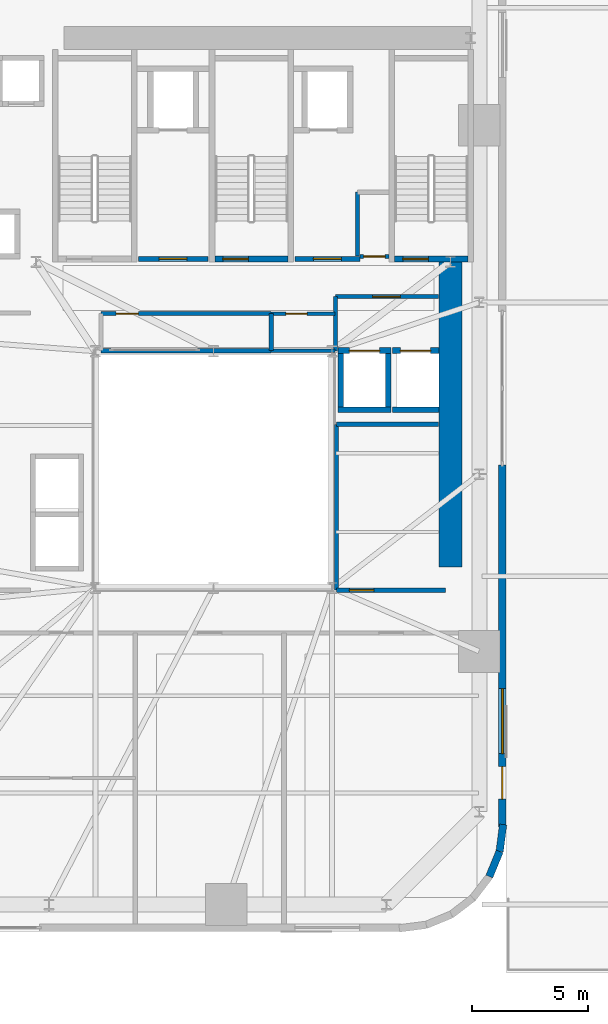
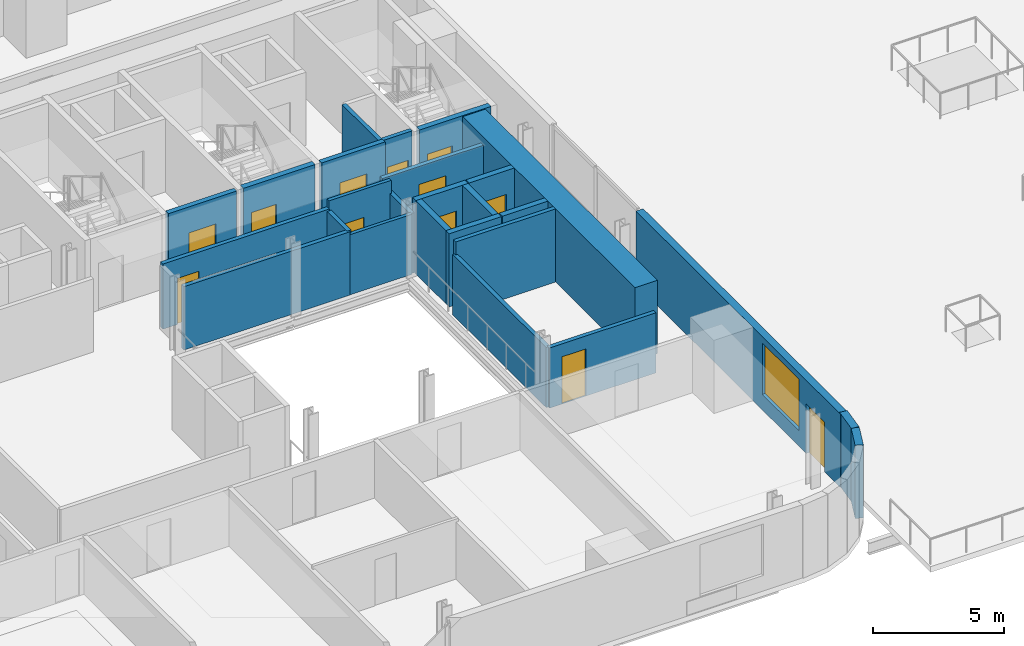
# One storey, part 10 of 18: 26 walls, 12 doors, 1 window, 13 openings.
"""IFC4 building model written with IfcOpenShell, lengths in metres."""

from ifc_helpers import new_model, si_unit, direction, frame, frame_2d, origin, place, context, subcontext, project, spatial, rectangle, extrude, source, transform, mapped, material, layer, layer_set, type_object, element, fill, save


model = new_model("IFC4")

# Units and contexts
model_context = context("Model", 3, precision=1e-05, world=origin(), true_north=direction((0.0, 1.0)))
body_context = subcontext(model_context, "Body", "Model", "MODEL_VIEW")
ifc_project = project(units=[si_unit("LENGTHUNIT", "METRE"), si_unit("AREAUNIT", "SQUARE_METRE"), si_unit("VOLUMEUNIT", "CUBIC_METRE"), si_unit("PLANEANGLEUNIT", "RADIAN"), si_unit("MASSUNIT", "GRAM", prefix="KILO")], contexts=[model_context])

# Site, building, storey
site_placement = place(None, origin())
site = spatial("IfcSite", under=ifc_project, at=site_placement, CompositionType="ELEMENT")
building_placement = place(site_placement, origin())
building = spatial("IfcBuilding", under=site, at=building_placement, Name="Vardaveli Station Tower", CompositionType="ELEMENT")
storey_placement = place(building_placement, frame((0.0, 0.0, 27.60009765625)))
storey = spatial("IfcBuildingStorey", under=building, at=storey_placement, Name="L06", CompositionType="ELEMENT", Elevation=27.60009765625)

# Wall
ifc_material_1 = material(Name="Concrete C60/75", Category="concrete")
ifc_layer_1 = layer(ifc_material_1, 1.0, Name="Concrete C60/75")
ifc_layer_set_1 = layer_set([ifc_layer_1], Name="Concrete C60/75")
wall_type_1 = type_object("IfcWallType", Name="WAL-CORE-1000", PredefinedType="SHEAR", material=ifc_layer_set_1)
shared_shape_1 = source(origin(), body_context, "Body", "SweptSolid", [
    extrude(rectangle(XDim=13.14990234375, YDim=1.0, at=frame_2d((6.574951171875, 0.0))), origin(), (0.0, 0.0, 1.0), 3.409912109375),
])
wall_1_placement = place(storey_placement, frame((46.5, 17.5, 0.0), z_axis=(0.0, 0.0, 1.0), x_axis=(0.0, 1.0, 0.0)))
element("IfcWall", 1, at=wall_1_placement, inside=storey, type_object=wall_type_1, Name="SW-L06-EAST2", PredefinedType="SHEAR", context=body_context, shape_type="MappedRepresentation", body=[
    mapped(shared_shape_1, transform((0.0, 0.0, 0.0), scale=1.0)),
])

# Wall, openings, door, window
ifc_material_2 = material(Name="Precast concrete C45/55", Category="concrete")
ifc_layer_2 = layer(ifc_material_2, 0.320068359375, Name="Precast concrete C45/55")
ifc_layer_set_2 = layer_set([ifc_layer_2], Name="Precast concrete C45/55")
wall_type_2 = type_object("IfcWallType", Name="WAL-EXT-STONE-320", PredefinedType="SOLIDWALL", material=ifc_layer_set_2)
shared_shape_2 = source(origin(), body_context, "Body", "SweptSolid", [
    extrude(rectangle(XDim=15.599853515625, YDim=0.320068359375, at=frame_2d((7.7998046875, 0.0))), origin(), (0.0, 0.0, 1.0), 3.409912109375),
])
wall_2_placement = place(storey_placement, frame((48.739990234375, 6.300048828125, 0.0), z_axis=(0.0, 0.0, 1.0), x_axis=(0.0, 1.0, 0.0)))
wall_2 = element("IfcWall", 2, at=wall_2_placement, inside=storey, type_object=wall_type_2, Name="EW-L06-E1", PredefinedType="SOLIDWALL", context=body_context, shape_type="MappedRepresentation", body=[
    mapped(shared_shape_2, transform((0.0, 0.0, 0.0), scale=1.0)),
])
shared_shape_3 = source(origin(), body_context, "Body", "SweptSolid", [
    extrude(rectangle(XDim=1.39990234375, YDim=2.300048828125, at=frame_2d((0.699951171875, 1.14990234375))), frame((0.0, 0.169921875, 0.0), z_axis=(0.0, -1.0, 0.0), x_axis=(1.0, 0.0, 0.0)), (0.0, 0.0, 1.0), 0.340087890625),
])
opening_1_placement = place(wall_2_placement, frame((1.199951171875, 0.0, 0.0)))
opening_1 = element("IfcOpeningElement", 3, at=opening_1_placement, cuts=wall_2, Name="Opening D-09", PredefinedType="OPENING", context=body_context, shape_type="MappedRepresentation", body=[
    mapped(shared_shape_3, transform((0.0, 0.0, 0.0), scale=1.0)),
])
shared_shape_4 = source(origin(), body_context, "Body", "SweptSolid", [
    extrude(rectangle(XDim=2.800048828125, YDim=2.39990234375, at=frame_2d((1.39990234375, 1.199951171875))), frame((0.0, 0.169921875, 0.0), z_axis=(0.0, -1.0, 0.0), x_axis=(1.0, 0.0, 0.0)), (0.0, 0.0, 1.0), 0.340087890625),
])
opening_2_placement = place(wall_2_placement, frame((3.155029296875, 0.0, 0.719970703125)))
opening_2 = element("IfcOpeningElement", 4, at=opening_2_placement, cuts=wall_2, Name="Opening W-04", PredefinedType="OPENING", context=body_context, shape_type="MappedRepresentation", body=[
    mapped(shared_shape_4, transform((0.0, 0.0, 0.0), scale=1.0)),
])
ifc_material_3 = material(Name="Thermally broken aluminium glass", Category="aluminium")
door_type_1 = type_object("IfcDoorType", Name="DR-LOG-1400x2300", OperationType="DOUBLE_DOOR_SLIDING", PredefinedType="DOOR", material=ifc_material_3)
shared_shape_5 = source(origin(), body_context, "Body", "SweptSolid", [
    extrude(rectangle(XDim=1.39990234375, YDim=2.300048828125, at=frame_2d((0.699951171875, 1.14990234375))), frame((0.0, 0.02490234375, 0.0), z_axis=(0.0, -1.0, 0.0), x_axis=(1.0, 0.0, 0.0)), (0.0, 0.0, 1.0), 0.050048828125),
])
door_1_placement = place(opening_1_placement, frame((1.39990234375, 0.0, 0.0), z_axis=(0.0, 0.0, 1.0), x_axis=(-1.0, 0.0, 0.0)))
door_1 = element("IfcDoor", 5, at=door_1_placement, inside=storey, type_object=door_type_1, Name="DR-L06-PODTER", OperationType="DOUBLE_DOOR_SLIDING", OverallHeight=2.300048828125, OverallWidth=1.39990234375, PredefinedType="DOOR", context=body_context, shape_type="MappedRepresentation", body=[
    mapped(shared_shape_5, transform((0.0, 0.0, 0.0), scale=1.0)),
])
fill(opening_1, door_1)
ifc_material_4 = material(Name="Low-E solar-control glass", Category="glass")
window_type = type_object("IfcWindowType", Name="WIN-SUITE-2800x2400", PartitioningType="SINGLE_PANEL", PredefinedType="WINDOW", material=ifc_material_4)
shared_shape_6 = source(origin(), body_context, "Body", "SweptSolid", [
    extrude(rectangle(XDim=2.800048828125, YDim=2.39990234375, at=frame_2d((1.39990234375, 1.199951171875))), frame((0.0, 0.030029296875, 0.0), z_axis=(0.0, -1.0, 0.0), x_axis=(1.0, 0.0, 0.0)), (0.0, 0.0, 1.0), 0.06005859375),
])
window_placement = place(opening_2_placement, origin())
window = element("IfcWindow", 6, at=window_placement, inside=storey, type_object=window_type, Name="WN-L06-E1", OverallHeight=2.39990234375, OverallWidth=2.800048828125, PartitioningType="SINGLE_PANEL", PredefinedType="WINDOW", context=body_context, shape_type="MappedRepresentation", body=[
    mapped(shared_shape_6, transform((0.0, 0.0, 0.0), scale=1.0)),
])
fill(opening_2, window)

# Walls
shared_shape_7 = source(origin(), body_context, "Body", "SweptSolid", [
    extrude(rectangle(XDim=1.170654296875, YDim=0.320068359375, at=frame_2d((0.58544921875, 0.0))), origin(), (0.0, 0.0, 1.0), 3.409912109375),
])
wall_3_placement = place(storey_placement, frame((48.62548828125, 5.23974609375, 0.0), z_axis=(0.0, 0.0, 1.0), x_axis=(0.128269133229, 0.991739395941, 0.0)))
element("IfcWall", 7, at=wall_3_placement, inside=storey, type_object=wall_type_2, Name="EW-L06-CR2-6", PredefinedType="SOLIDWALL", context=body_context, shape_type="MappedRepresentation", body=[
    mapped(shared_shape_7, transform((0.0, 0.0, 0.0), scale=1.0)),
])
shared_shape_8 = source(origin(), body_context, "Body", "SweptSolid", [
    extrude(rectangle(XDim=1.1689453125, YDim=0.320068359375, at=frame_2d((0.58447265625, 0.0))), origin(), (0.0, 0.0, 1.0), 3.409912109375),
])
wall_4_placement = place(storey_placement, frame((48.179931640625, 4.158935546875, 0.0), z_axis=(0.0, 0.0, 1.0), x_axis=(0.381127904695, 0.924522320046, 0.0)))
element("IfcWall", 8, at=wall_4_placement, inside=storey, type_object=wall_type_2, Name="EW-L06-CR2-5", PredefinedType="SOLIDWALL", context=body_context, shape_type="MappedRepresentation", body=[
    mapped(shared_shape_8, transform((0.0, 0.0, 0.0), scale=1.0)),
])

# Wall, opening, door
ifc_material_5 = material(Name="Concrete C40/50", Category="concrete")
ifc_layer_3 = layer(ifc_material_5, 0.25, Name="Concrete C40/50")
ifc_layer_set_3 = layer_set([ifc_layer_3], Name="Concrete C40/50")
wall_type_3 = type_object("IfcWallType", Name="WAL-SHAFT-250", PredefinedType="SOLIDWALL", material=ifc_layer_set_3)
shared_shape_9 = source(origin(), body_context, "Body", "SweptSolid", [
    extrude(rectangle(XDim=3.14990234375, YDim=0.25, at=frame_2d((1.574951171875, 0.0))), origin(), (0.0, 0.0, 1.0), 3.449951171875),
])
wall_5_placement = place(storey_placement, frame((36.35009765625, 30.77490234375, 0.0), z_axis=(0.0, 0.0, 1.0), x_axis=(1.0, 0.0, 0.0)))
wall_5 = element("IfcWall", 9, at=wall_5_placement, inside=storey, type_object=wall_type_3, Name="W-L06-ST-2S", PredefinedType="SOLIDWALL", context=body_context, shape_type="MappedRepresentation", body=[
    mapped(shared_shape_9, transform((0.0, 0.0, 0.0), scale=1.0)),
])
shared_shape_10 = source(origin(), body_context, "Body", "SweptSolid", [
    extrude(rectangle(XDim=1.10009765625, YDim=2.199951171875, at=frame_2d((0.550048828125, 1.10009765625))), frame((0.0, 0.135009765625, 0.0), z_axis=(0.0, -1.0, 0.0), x_axis=(1.0, 0.0, 0.0)), (0.0, 0.0, 1.0), 0.27001953125),
])
opening_3_placement = place(wall_5_placement, frame((0.35009765625, 0.0, 0.0)))
opening_3 = element("IfcOpeningElement", 10, at=opening_3_placement, cuts=wall_5, Name="Opening D-04", PredefinedType="OPENING", context=body_context, shape_type="MappedRepresentation", body=[
    mapped(shared_shape_10, transform((0.0, 0.0, 0.0), scale=1.0)),
])
ifc_material_6 = material(Name="Steel smokeproof fire doorset", Category="steel")
door_type_2 = type_object("IfcDoorType", Name="DR-ST-1100x2200", OperationType="NOTDEFINED", PredefinedType="DOOR", material=ifc_material_6)
shared_shape_11 = source(origin(), body_context, "Body", "SweptSolid", [
    extrude(rectangle(XDim=1.10009765625, YDim=2.199951171875, at=frame_2d((0.550048828125, 1.10009765625))), frame((0.0, 0.02490234375, 0.0), z_axis=(0.0, -1.0, 0.0), x_axis=(1.0, 0.0, 0.0)), (0.0, 0.0, 1.0), 0.050048828125),
])
door_2_placement = place(opening_3_placement, origin())
door_2 = element("IfcDoor", 11, at=door_2_placement, inside=storey, type_object=door_type_2, Name="DST-2-L06", OperationType="SINGLE_SWING_LEFT", OverallHeight=2.199951171875, OverallWidth=1.10009765625, PredefinedType="DOOR", context=body_context, shape_type="MappedRepresentation", body=[
    mapped(shared_shape_11, transform((0.0, 0.0, 0.0), scale=1.0)),
])
fill(opening_3, door_2)

wall_6_placement = place(storey_placement, frame((44.10009765625, 30.77490234375, 0.0), z_axis=(0.0, 0.0, 1.0), x_axis=(1.0, 0.0, 0.0)))
wall_6 = element("IfcWall", 12, at=wall_6_placement, inside=storey, type_object=wall_type_3, Name="W-L06-ST-3S", PredefinedType="SOLIDWALL", context=body_context, shape_type="MappedRepresentation", body=[
    mapped(shared_shape_9, transform((0.0, 0.0, 0.0), scale=1.0)),
])
opening_4_placement = place(wall_6_placement, frame((0.35009765625, 0.0, 0.0)))
opening_4 = element("IfcOpeningElement", 13, at=opening_4_placement, cuts=wall_6, Name="Opening D-04", PredefinedType="OPENING", context=body_context, shape_type="MappedRepresentation", body=[
    mapped(shared_shape_10, transform((0.0, 0.0, 0.0), scale=1.0)),
])
door_3_placement = place(opening_4_placement, origin())
door_3 = element("IfcDoor", 14, at=door_3_placement, inside=storey, type_object=door_type_2, Name="DST-3-L06", OperationType="SINGLE_SWING_LEFT", OverallHeight=2.199951171875, OverallWidth=1.10009765625, PredefinedType="DOOR", context=body_context, shape_type="MappedRepresentation", body=[
    mapped(shared_shape_11, transform((0.0, 0.0, 0.0), scale=1.0)),
])
fill(opening_4, door_3)

ifc_layer_4 = layer(ifc_material_5, 0.219970703125, Name="Concrete C40/50")
ifc_layer_set_4 = layer_set([ifc_layer_4], Name="Concrete C40/50")
wall_type_4 = type_object("IfcWallType", Name="WAL-FFLOBBY-220", PredefinedType="SOLIDWALL", material=ifc_layer_set_4)
shared_shape_12 = source(origin(), body_context, "Body", "SweptSolid", [
    extrude(rectangle(XDim=3.0, YDim=0.219970703125, at=frame_2d((1.5, 0.0))), origin(), (0.0, 0.0, 1.0), 3.409912109375),
])
wall_7_placement = place(storey_placement, frame((33.050048828125, 30.780029296875, 0.0), z_axis=(0.0, 0.0, 1.0), x_axis=(1.0, 0.0, 0.0)))
wall_7 = element("IfcWall", 15, at=wall_7_placement, inside=storey, type_object=wall_type_4, Name="W-L06-FFL1S", PredefinedType="SOLIDWALL", context=body_context, shape_type="MappedRepresentation", body=[
    mapped(shared_shape_12, transform((0.0, 0.0, 0.0), scale=1.0)),
])
shared_shape_13 = source(origin(), body_context, "Body", "SweptSolid", [
    extrude(rectangle(XDim=1.199951171875, YDim=2.199951171875, at=frame_2d((0.60009765625, 1.10009765625))), frame((0.0, 0.1201171875, 0.0), z_axis=(0.0, -1.0, 0.0), x_axis=(1.0, 0.0, 0.0)), (0.0, 0.0, 1.0), 0.239990234375),
])
opening_5_placement = place(wall_7_placement, frame((0.89990234375, 0.0, 0.0)))
opening_5 = element("IfcOpeningElement", 16, at=opening_5_placement, cuts=wall_7, Name="Opening D-03", PredefinedType="OPENING", context=body_context, shape_type="MappedRepresentation", body=[
    mapped(shared_shape_13, transform((0.0, 0.0, 0.0), scale=1.0)),
])
door_type_3 = type_object("IfcDoorType", Name="DR-FFL-1200x2200", OperationType="NOTDEFINED", PredefinedType="DOOR", material=ifc_material_6)
shared_shape_14 = source(origin(), body_context, "Body", "SweptSolid", [
    extrude(rectangle(XDim=1.199951171875, YDim=2.199951171875, at=frame_2d((0.60009765625, 1.10009765625))), frame((0.0, 0.02490234375, 0.0), z_axis=(0.0, -1.0, 0.0), x_axis=(1.0, 0.0, 0.0)), (0.0, 0.0, 1.0), 0.050048828125),
])
door_4_placement = place(opening_5_placement, origin())
door_4 = element("IfcDoor", 17, at=door_4_placement, inside=storey, type_object=door_type_3, Name="DFFL1-L06", OperationType="SINGLE_SWING_LEFT", OverallHeight=2.199951171875, OverallWidth=1.199951171875, PredefinedType="DOOR", context=body_context, shape_type="MappedRepresentation", body=[
    mapped(shared_shape_14, transform((0.0, 0.0, 0.0), scale=1.0)),
])
fill(opening_5, door_4)

shared_shape_15 = source(origin(), body_context, "Body", "SweptSolid", [
    extrude(rectangle(XDim=2.800048828125, YDim=0.219970703125, at=frame_2d((1.39990234375, 0.0))), origin(), (0.0, 0.0, 1.0), 3.409912109375),
])
wall_8_placement = place(storey_placement, frame((39.800048828125, 30.780029296875, 0.0), z_axis=(0.0, 0.0, 1.0), x_axis=(1.0, 0.0, 0.0)))
wall_8 = element("IfcWall", 18, at=wall_8_placement, inside=storey, type_object=wall_type_4, Name="W-L06-FFL2S", PredefinedType="SOLIDWALL", context=body_context, shape_type="MappedRepresentation", body=[
    mapped(shared_shape_15, transform((0.0, 0.0, 0.0), scale=1.0)),
])
opening_6_placement = place(wall_8_placement, frame((0.800048828125, 0.0, 0.0)))
opening_6 = element("IfcOpeningElement", 19, at=opening_6_placement, cuts=wall_8, Name="Opening D-03", PredefinedType="OPENING", context=body_context, shape_type="MappedRepresentation", body=[
    mapped(shared_shape_13, transform((0.0, 0.0, 0.0), scale=1.0)),
])
door_5_placement = place(opening_6_placement, origin())
door_5 = element("IfcDoor", 20, at=door_5_placement, inside=storey, type_object=door_type_3, Name="DFFL2-L06", OperationType="SINGLE_SWING_RIGHT", OverallHeight=2.199951171875, OverallWidth=1.199951171875, PredefinedType="DOOR", context=body_context, shape_type="MappedRepresentation", body=[
    mapped(shared_shape_14, transform((0.0, 0.0, 0.0), scale=1.0)),
])
fill(opening_6, door_5)

# Wall
shared_shape_16 = source(origin(), body_context, "Body", "SweptSolid", [
    extrude(rectangle(XDim=2.300048828125, YDim=0.25, at=frame_2d((1.14990234375, 0.0))), origin(), (0.0, 0.0, 1.0), 3.409912109375),
])
wall_9_placement = place(storey_placement, frame((41.64990234375, 24.27490234375, 0.0), z_axis=(0.0, 0.0, 1.0), x_axis=(1.0, 0.0, 0.0)))
element("IfcWall", 21, at=wall_9_placement, inside=storey, type_object=wall_type_3, Name="SHW-SRV-01-L06-S", PredefinedType="SOLIDWALL", context=body_context, shape_type="MappedRepresentation", body=[
    mapped(shared_shape_16, transform((0.0, 0.0, 0.0), scale=1.0)),
])

# Wall, opening, door
wall_10_placement = place(storey_placement, frame((41.64990234375, 26.824951171875, 0.0), z_axis=(0.0, 0.0, 1.0), x_axis=(1.0, 0.0, 0.0)))
wall_10 = element("IfcWall", 22, at=wall_10_placement, inside=storey, type_object=wall_type_3, Name="SHW-SRV-01-L06-N", PredefinedType="SOLIDWALL", context=body_context, shape_type="MappedRepresentation", body=[
    mapped(shared_shape_16, transform((0.0, 0.0, 0.0), scale=1.0)),
])
shared_shape_17 = source(origin(), body_context, "Body", "SweptSolid", [
    extrude(rectangle(XDim=1.300048828125, YDim=2.300048828125, at=frame_2d((0.64990234375, 1.14990234375))), frame((0.0, 0.135009765625, 0.0), z_axis=(0.0, -1.0, 0.0), x_axis=(1.0, 0.0, 0.0)), (0.0, 0.0, 1.0), 0.27001953125),
])
opening_7_placement = place(wall_10_placement, frame((0.5, 0.0, 0.0)))
opening_7 = element("IfcOpeningElement", 23, at=opening_7_placement, cuts=wall_10, Name="Opening LD-03", PredefinedType="OPENING", context=body_context, shape_type="MappedRepresentation", body=[
    mapped(shared_shape_17, transform((0.0, 0.0, 0.0), scale=1.0)),
])
ifc_material_7 = material(Name="Brushed stainless steel", Category="steel")
door_type_4 = type_object("IfcDoorType", Name="DR-LD-1300x2300", OperationType="DOUBLE_DOOR_SLIDING", PredefinedType="DOOR", material=ifc_material_7)
shared_shape_18 = source(origin(), body_context, "Body", "SweptSolid", [
    extrude(rectangle(XDim=1.300048828125, YDim=2.300048828125, at=frame_2d((0.64990234375, 1.14990234375))), frame((0.0, 0.02490234375, 0.0), z_axis=(0.0, -1.0, 0.0), x_axis=(1.0, 0.0, 0.0)), (0.0, 0.0, 1.0), 0.050048828125),
])
door_6_placement = place(opening_7_placement, origin())
door_6 = element("IfcDoor", 24, at=door_6_placement, inside=storey, type_object=door_type_4, Name="LD-SRV-01-L06", OperationType="DOUBLE_DOOR_SLIDING", OverallHeight=2.300048828125, OverallWidth=1.300048828125, PredefinedType="DOOR", context=body_context, shape_type="MappedRepresentation", body=[
    mapped(shared_shape_18, transform((0.0, 0.0, 0.0), scale=1.0)),
])
fill(opening_7, door_6)

# Walls
for number, where, z_axis, x_axis, name in (
    (25, (41.77490234375, 24.39990234375, 0.0), (0.0, 0.0, 1.0), (0.0, 1.0, 0.0), "SHW-SRV-01-L06-W"),
    (26, (43.824951171875, 24.39990234375, 0.0), (0.0, 0.0, 1.0), (0.0, 1.0, 0.0), "SHW-SRV-01-L06-E"),
):
    element("IfcWall", number, at=place(storey_placement, frame(where, z_axis=z_axis, x_axis=x_axis)), inside=storey, type_object=wall_type_3, Name=name, PredefinedType="SOLIDWALL", context=body_context, shape_type="MappedRepresentation", body=[
        mapped(shared_shape_16, transform((0.0, 0.0, 0.0), scale=1.0)),
    ])
shared_shape_19 = source(origin(), body_context, "Body", "SweptSolid", [
    extrude(rectangle(XDim=2.0, YDim=0.25, at=frame_2d((1.0, 0.0))), origin(), (0.0, 0.0, 1.0), 3.409912109375),
])
wall_11_placement = place(storey_placement, frame((44.0, 24.27490234375, 0.0), z_axis=(0.0, 0.0, 1.0), x_axis=(1.0, 0.0, 0.0)))
element("IfcWall", 27, at=wall_11_placement, inside=storey, type_object=wall_type_3, Name="SHW-SRV-02-L06-S", PredefinedType="SOLIDWALL", context=body_context, shape_type="MappedRepresentation", body=[
    mapped(shared_shape_19, transform((0.0, 0.0, 0.0), scale=1.0)),
])

# Wall, opening, door
wall_12_placement = place(storey_placement, frame((44.0, 26.824951171875, 0.0), z_axis=(0.0, 0.0, 1.0), x_axis=(1.0, 0.0, 0.0)))
wall_12 = element("IfcWall", 28, at=wall_12_placement, inside=storey, type_object=wall_type_3, Name="SHW-SRV-02-L06-N", PredefinedType="SOLIDWALL", context=body_context, shape_type="MappedRepresentation", body=[
    mapped(shared_shape_19, transform((0.0, 0.0, 0.0), scale=1.0)),
])
opening_8_placement = place(wall_12_placement, frame((0.35009765625, 0.0, 0.0)))
opening_8 = element("IfcOpeningElement", 29, at=opening_8_placement, cuts=wall_12, Name="Opening LD-03", PredefinedType="OPENING", context=body_context, shape_type="MappedRepresentation", body=[
    mapped(shared_shape_17, transform((0.0, 0.0, 0.0), scale=1.0)),
])
door_7_placement = place(opening_8_placement, origin())
door_7 = element("IfcDoor", 30, at=door_7_placement, inside=storey, type_object=door_type_4, Name="LD-SRV-02-L06", OperationType="DOUBLE_DOOR_SLIDING", OverallHeight=2.300048828125, OverallWidth=1.300048828125, PredefinedType="DOOR", context=body_context, shape_type="MappedRepresentation", body=[
    mapped(shared_shape_18, transform((0.0, 0.0, 0.0), scale=1.0)),
])
fill(opening_8, door_7)

ifc_material_8 = material(Name="Fire-rated gypsum stud partition")
ifc_layer_5 = layer(ifc_material_8, 0.179931640625, Name="Fire-rated gypsum stud partition")
ifc_layer_set_5 = layer_set([ifc_layer_5], Name="Fire-rated gypsum stud partition")
wall_type_5 = type_object("IfcWallType", Name="WAL-CORR-180", PredefinedType="PARTITIONING", material=ifc_layer_set_5)
shared_shape_20 = source(origin(), body_context, "Body", "SweptSolid", [
    extrude(rectangle(XDim=7.330078125, YDim=0.179931640625, at=frame_2d((3.6650390625, 0.0))), origin(), (0.0, 0.0, 1.0), 3.0419921875),
])
wall_13_placement = place(storey_placement, frame((31.449951171875, 28.419921875, 0.0), z_axis=(0.0, 0.0, 1.0), x_axis=(1.0, 0.0, 0.0)))
wall_13 = element("IfcWall", 31, at=wall_13_placement, inside=storey, type_object=wall_type_5, Name="W-L06-HKP0-N", PredefinedType="PARTITIONING", context=body_context, shape_type="MappedRepresentation", body=[
    mapped(shared_shape_20, transform((0.0, 0.0, 0.0), scale=1.0)),
])
shared_shape_21 = source(origin(), body_context, "Body", "SweptSolid", [
    extrude(rectangle(XDim=0.949951171875, YDim=2.14990234375, at=frame_2d((0.47509765625, 1.074951171875))), frame((0.0, 0.10009765625, 0.0), z_axis=(0.0, -1.0, 0.0), x_axis=(1.0, 0.0, 0.0)), (0.0, 0.0, 1.0), 0.199951171875),
])
opening_9_placement = place(wall_13_placement, frame((0.64990234375, 0.0, 0.0)))
opening_9 = element("IfcOpeningElement", 32, at=opening_9_placement, cuts=wall_13, Name="Opening D-06", PredefinedType="OPENING", context=body_context, shape_type="MappedRepresentation", body=[
    mapped(shared_shape_21, transform((0.0, 0.0, 0.0), scale=1.0)),
])
ifc_material_9 = material(Name="Oak veneer acoustic fire door")
door_type_5 = type_object("IfcDoorType", Name="DR-GUEST-950x2150", OperationType="NOTDEFINED", PredefinedType="DOOR", material=ifc_material_9)
shared_shape_22 = source(origin(), body_context, "Body", "SweptSolid", [
    extrude(rectangle(XDim=0.949951171875, YDim=2.14990234375, at=frame_2d((0.47509765625, 1.074951171875))), frame((0.0, 0.02490234375, 0.0), z_axis=(0.0, -1.0, 0.0), x_axis=(1.0, 0.0, 0.0)), (0.0, 0.0, 1.0), 0.050048828125),
])
door_8_placement = place(opening_9_placement, origin())
door_8 = element("IfcDoor", 33, at=door_8_placement, inside=storey, type_object=door_type_5, Name="D-L06-HKP", OperationType="SINGLE_SWING_RIGHT", OverallHeight=2.14990234375, OverallWidth=0.949951171875, PredefinedType="DOOR", context=body_context, shape_type="MappedRepresentation", body=[
    mapped(shared_shape_22, transform((0.0, 0.0, 0.0), scale=1.0)),
])
fill(opening_9, door_8)

shared_shape_23 = source(origin(), body_context, "Body", "SweptSolid", [
    extrude(rectangle(XDim=4.447998046875, YDim=0.179931640625, at=frame_2d((2.22412109375, 0.0))), origin(), (0.0, 0.0, 1.0), 3.0419921875),
])
wall_14_placement = place(storey_placement, frame((41.550048828125, 29.14990234375, 0.0), z_axis=(0.0, 0.0, 1.0), x_axis=(1.0, 0.0, 0.0)))
wall_14 = element("IfcWall", 34, at=wall_14_placement, inside=storey, type_object=wall_type_5, Name="W-L06-SVFN", PredefinedType="PARTITIONING", context=body_context, shape_type="MappedRepresentation", body=[
    mapped(shared_shape_23, transform((0.0, 0.0, 0.0), scale=1.0)),
])
shared_shape_24 = source(origin(), body_context, "Body", "SweptSolid", [
    extrude(rectangle(XDim=1.199951171875, YDim=2.199951171875, at=frame_2d((0.60009765625, 1.10009765625))), frame((0.0, 0.10009765625, 0.0), z_axis=(0.0, -1.0, 0.0), x_axis=(1.0, 0.0, 0.0)), (0.0, 0.0, 1.0), 0.199951171875),
])
opening_10_placement = place(wall_14_placement, frame((1.60009765625, 0.0, 0.0)))
opening_10 = element("IfcOpeningElement", 35, at=opening_10_placement, cuts=wall_14, Name="Opening D-03", PredefinedType="OPENING", context=body_context, shape_type="MappedRepresentation", body=[
    mapped(shared_shape_24, transform((0.0, 0.0, 0.0), scale=1.0)),
])
door_9_placement = place(opening_10_placement, origin())
door_9 = element("IfcDoor", 36, at=door_9_placement, inside=storey, type_object=door_type_3, Name="D-L06-SVF", OperationType="SINGLE_SWING_RIGHT", OverallHeight=2.199951171875, OverallWidth=1.199951171875, PredefinedType="DOOR", context=body_context, shape_type="MappedRepresentation", body=[
    mapped(shared_shape_14, transform((0.0, 0.0, 0.0), scale=1.0)),
])
fill(opening_10, door_9)

shared_shape_25 = source(origin(), body_context, "Body", "SweptSolid", [
    extrude(rectangle(XDim=4.699951171875, YDim=0.179931640625, at=frame_2d((2.35009765625, 0.0))), origin(), (0.0, 0.0, 1.0), 2.802001953125),
])
wall_15_placement = place(storey_placement, frame((41.60009765625, 16.5, 0.0), z_axis=(0.0, 0.0, 1.0), x_axis=(1.0, 0.0, 0.0)))
wall_15 = element("IfcWall", 37, at=wall_15_placement, inside=storey, type_object=wall_type_5, Name="W-L06-ATE-S", PredefinedType="PARTITIONING", context=body_context, shape_type="MappedRepresentation", body=[
    mapped(shared_shape_25, transform((0.0, 0.0, 0.0), scale=1.0)),
])
shared_shape_26 = source(origin(), body_context, "Body", "SweptSolid", [
    extrude(rectangle(XDim=1.050048828125, YDim=2.199951171875, at=frame_2d((0.52490234375, 1.10009765625))), frame((0.0, 0.10009765625, 0.0), z_axis=(0.0, -1.0, 0.0), x_axis=(1.0, 0.0, 0.0)), (0.0, 0.0, 1.0), 0.199951171875),
])
opening_11_placement = place(wall_15_placement, frame((0.550048828125, 0.0, 0.0)))
opening_11 = element("IfcOpeningElement", 38, at=opening_11_placement, cuts=wall_15, Name="Opening D-05", PredefinedType="OPENING", context=body_context, shape_type="MappedRepresentation", body=[
    mapped(shared_shape_26, transform((0.0, 0.0, 0.0), scale=1.0)),
])
ifc_material_10 = material(Name="Walnut veneer acoustic fire door")
door_type_6 = type_object("IfcDoorType", Name="DR-SUITE-1050x2200", OperationType="NOTDEFINED", PredefinedType="DOOR", material=ifc_material_10)
shared_shape_27 = source(origin(), body_context, "Body", "SweptSolid", [
    extrude(rectangle(XDim=1.050048828125, YDim=2.199951171875, at=frame_2d((0.52490234375, 1.10009765625))), frame((0.0, 0.02490234375, 0.0), z_axis=(0.0, -1.0, 0.0), x_axis=(1.0, 0.0, 0.0)), (0.0, 0.0, 1.0), 0.050048828125),
])
door_10_placement = place(opening_11_placement, origin())
door_10 = element("IfcDoor", 39, at=door_10_placement, inside=storey, type_object=door_type_6, Name="D-L06-ATE1", OperationType="SINGLE_SWING_RIGHT", OverallHeight=2.199951171875, OverallWidth=1.050048828125, PredefinedType="DOOR", context=body_context, shape_type="MappedRepresentation", body=[
    mapped(shared_shape_27, transform((0.0, 0.0, 0.0), scale=1.0)),
])
fill(opening_11, door_10)

ifc_material_11 = material(Name="Moisture-resistant stud partition")
ifc_layer_6 = layer(ifc_material_11, 0.14990234375, Name="Moisture-resistant stud partition")
ifc_layer_set_6 = layer_set([ifc_layer_6], Name="Moisture-resistant stud partition")
wall_type_6 = type_object("IfcWallType", Name="WAL-WET-150", PredefinedType="PARTITIONING", material=ifc_layer_set_6)
shared_shape_28 = source(origin(), body_context, "Body", "SweptSolid", [
    extrude(rectangle(XDim=2.739990234375, YDim=0.14990234375, at=frame_2d((1.3701171875, 0.0))), origin(), (0.0, 0.0, 1.0), 3.409912109375),
])
wall_16_placement = place(storey_placement, frame((38.780029296875, 28.419921875, 0.0), z_axis=(0.0, 0.0, 1.0), x_axis=(1.0, 0.0, 0.0)))
wall_16 = element("IfcWall", 40, at=wall_16_placement, inside=storey, type_object=wall_type_6, Name="W-L06-WCA0-N", PredefinedType="PARTITIONING", context=body_context, shape_type="MappedRepresentation", body=[
    mapped(shared_shape_28, transform((0.0, 0.0, 0.0), scale=1.0)),
])
shared_shape_29 = source(origin(), body_context, "Body", "SweptSolid", [
    extrude(rectangle(XDim=0.919921875, YDim=2.10009765625, at=frame_2d((0.4599609375, 1.050048828125))), frame((0.0, 0.0849609375, 0.0), z_axis=(0.0, -1.0, 0.0), x_axis=(1.0, 0.0, 0.0)), (0.0, 0.0, 1.0), 0.169921875),
])
opening_12_placement = place(wall_16_placement, frame((0.6298828125, 0.0, 0.0)))
opening_12 = element("IfcOpeningElement", 41, at=opening_12_placement, cuts=wall_16, Name="Opening D-07", PredefinedType="OPENING", context=body_context, shape_type="MappedRepresentation", body=[
    mapped(shared_shape_29, transform((0.0, 0.0, 0.0), scale=1.0)),
])
ifc_material_12 = material(Name="Moisture-resistant hardwood door", Category="wood")
door_type_7 = type_object("IfcDoorType", Name="DR-WC-920x2100", OperationType="NOTDEFINED", PredefinedType="DOOR", material=ifc_material_12)
shared_shape_30 = source(origin(), body_context, "Body", "SweptSolid", [
    extrude(rectangle(XDim=0.919921875, YDim=2.10009765625, at=frame_2d((0.4599609375, 1.050048828125))), frame((0.0, 0.02490234375, 0.0), z_axis=(0.0, -1.0, 0.0), x_axis=(1.0, 0.0, 0.0)), (0.0, 0.0, 1.0), 0.050048828125),
])
door_11_placement = place(opening_12_placement, origin())
door_11 = element("IfcDoor", 42, at=door_11_placement, inside=storey, type_object=door_type_7, Name="D-L06-WCA", OperationType="SINGLE_SWING_LEFT", OverallHeight=2.10009765625, OverallWidth=0.919921875, PredefinedType="DOOR", context=body_context, shape_type="MappedRepresentation", body=[
    mapped(shared_shape_30, transform((0.0, 0.0, 0.0), scale=1.0)),
])
fill(opening_12, door_11)

shared_shape_31 = source(origin(), body_context, "Body", "SweptSolid", [
    extrude(rectangle(XDim=1.247802734375, YDim=0.179931640625, at=frame_2d((0.6240234375, 0.0))), origin(), (0.0, 0.0, 1.0), 3.409912109375),
])
wall_17_placement = place(storey_placement, frame((42.60009765625, 30.8798828125, 0.0), z_axis=(0.0, 0.0, 1.0), x_axis=(1.0, 0.0, 0.0)))
wall_17 = element("IfcWall", 43, at=wall_17_placement, inside=storey, type_object=wall_type_5, Name="W-L06-CBS0-S", PredefinedType="PARTITIONING", context=body_context, shape_type="MappedRepresentation", body=[
    mapped(shared_shape_31, transform((0.0, 0.0, 0.0), scale=1.0)),
])
shared_shape_32 = source(origin(), body_context, "Body", "SweptSolid", [
    extrude(rectangle(XDim=0.919921875, YDim=2.10009765625, at=frame_2d((0.4599609375, 1.050048828125))), frame((0.0, 0.10009765625, 0.0), z_axis=(0.0, -1.0, 0.0), x_axis=(1.0, 0.0, 0.0)), (0.0, 0.0, 1.0), 0.199951171875),
])
opening_13_placement = place(wall_17_placement, frame((0.1640625, 0.0, 0.0)))
opening_13 = element("IfcOpeningElement", 44, at=opening_13_placement, cuts=wall_17, Name="Opening D-07", PredefinedType="OPENING", context=body_context, shape_type="MappedRepresentation", body=[
    mapped(shared_shape_32, transform((0.0, 0.0, 0.0), scale=1.0)),
])
door_12_placement = place(opening_13_placement, origin())
door_12 = element("IfcDoor", 45, at=door_12_placement, inside=storey, type_object=door_type_7, Name="D-L06-CBS0", OperationType="SINGLE_SWING_LEFT", OverallHeight=2.10009765625, OverallWidth=0.919921875, PredefinedType="DOOR", context=body_context, shape_type="MappedRepresentation", body=[
    mapped(shared_shape_30, transform((0.0, 0.0, 0.0), scale=1.0)),
])
fill(opening_13, door_12)

# Walls
shared_shape_33 = source(origin(), body_context, "Body", "SweptSolid", [
    extrude(rectangle(XDim=7.330078125, YDim=0.179931640625, at=frame_2d((3.6650390625, 0.0))), origin(), (0.0, 0.0, 1.0), 2.951904296875),
])
wall_18_placement = place(storey_placement, frame((31.449951171875, 26.820068359375, 0.0), z_axis=(0.0, 0.0, 1.0), x_axis=(1.0, 0.0, 0.0)))
element("IfcWall", 46, at=wall_18_placement, inside=storey, type_object=wall_type_5, Name="W-L06-HKP0-S", PredefinedType="PARTITIONING", context=body_context, shape_type="MappedRepresentation", body=[
    mapped(shared_shape_33, transform((0.0, 0.0, 0.0), scale=1.0)),
])
shared_shape_34 = source(origin(), body_context, "Body", "SweptSolid", [
    extrude(rectangle(XDim=7.14990234375, YDim=0.179931640625, at=frame_2d((3.574951171875, 0.0))), origin(), (0.0, 0.0, 1.0), 2.802001953125),
])
wall_19_placement = place(storey_placement, frame((41.60009765625, 16.5, 0.0), z_axis=(0.0, 0.0, 1.0), x_axis=(0.0, 1.0, 0.0)))
element("IfcWall", 47, at=wall_19_placement, inside=storey, type_object=wall_type_5, Name="W-L06-ATE-W", PredefinedType="PARTITIONING", context=body_context, shape_type="MappedRepresentation", body=[
    mapped(shared_shape_34, transform((0.0, 0.0, 0.0), scale=1.0)),
])
shared_shape_35 = source(origin(), body_context, "Body", "SweptSolid", [
    extrude(rectangle(XDim=4.39794921875, YDim=0.179931640625, at=frame_2d((2.198974609375, 0.0))), origin(), (0.0, 0.0, 1.0), 3.409912109375),
])
wall_20_placement = place(storey_placement, frame((41.60009765625, 23.64990234375, 0.0), z_axis=(0.0, 0.0, 1.0), x_axis=(1.0, 0.0, 0.0)))
element("IfcWall", 48, at=wall_20_placement, inside=storey, type_object=wall_type_5, Name="W-L06-ATE-N", PredefinedType="PARTITIONING", context=body_context, shape_type="MappedRepresentation", body=[
    mapped(shared_shape_35, transform((0.0, 0.0, 0.0), scale=1.0)),
])
shared_shape_36 = source(origin(), body_context, "Body", "SweptSolid", [
    extrude(rectangle(XDim=2.7578125, YDim=0.179931640625, at=frame_2d((1.37890625, 0.0))), origin(), (0.0, 0.0, 1.0), 3.409912109375),
])
wall_21_placement = place(storey_placement, frame((42.5, 30.89208984375, 0.0), z_axis=(0.0, 0.0, 1.0), x_axis=(0.0, 1.0, 0.0)))
element("IfcWall", 49, at=wall_21_placement, inside=storey, type_object=wall_type_5, Name="W-L06-CBS0-W", PredefinedType="PARTITIONING", context=body_context, shape_type="MappedRepresentation", body=[
    mapped(shared_shape_36, transform((0.0, 0.0, 0.0), scale=1.0)),
])
shared_shape_37 = source(origin(), body_context, "Body", "SweptSolid", [
    extrude(rectangle(XDim=2.739990234375, YDim=0.14990234375, at=frame_2d((1.3701171875, 0.0))), origin(), (0.0, 0.0, 1.0), 2.802001953125),
])
wall_22_placement = place(storey_placement, frame((38.780029296875, 26.820068359375, 0.0), z_axis=(0.0, 0.0, 1.0), x_axis=(1.0, 0.0, 0.0)))
element("IfcWall", 50, at=wall_22_placement, inside=storey, type_object=wall_type_6, Name="W-L06-WCA0-S", PredefinedType="PARTITIONING", context=body_context, shape_type="MappedRepresentation", body=[
    mapped(shared_shape_37, transform((0.0, 0.0, 0.0), scale=1.0)),
])
shared_shape_38 = source(origin(), body_context, "Body", "SweptSolid", [
    extrude(rectangle(XDim=2.349853515625, YDim=0.179931640625, at=frame_2d((1.1748046875, 0.0))), origin(), (0.0, 0.0, 1.0), 2.802001953125),
])
wall_23_placement = place(storey_placement, frame((41.550048828125, 26.800048828125, 0.0), z_axis=(0.0, 0.0, 1.0), x_axis=(0.0, 1.0, 0.0)))
element("IfcWall", 51, at=wall_23_placement, inside=storey, type_object=wall_type_5, Name="W-L06-SVFW", PredefinedType="PARTITIONING", context=body_context, shape_type="MappedRepresentation", body=[
    mapped(shared_shape_38, transform((0.0, 0.0, 0.0), scale=1.0)),
])
shared_shape_39 = source(origin(), body_context, "Body", "SweptSolid", [
    extrude(rectangle(XDim=1.599853515625, YDim=0.179931640625, at=frame_2d((0.7998046875, 0.0))), origin(), (0.0, 0.0, 1.0), 2.951904296875),
])
wall_24_placement = place(storey_placement, frame((38.780029296875, 26.820068359375, 0.0), z_axis=(0.0, 0.0, 1.0), x_axis=(0.0, 1.0, 0.0)))
element("IfcWall", 52, at=wall_24_placement, inside=storey, type_object=wall_type_5, Name="W-L06-HKP0-E", PredefinedType="PARTITIONING", context=body_context, shape_type="MappedRepresentation", body=[
    mapped(shared_shape_39, transform((0.0, 0.0, 0.0), scale=1.0)),
])

save(model, "model.ifc")
